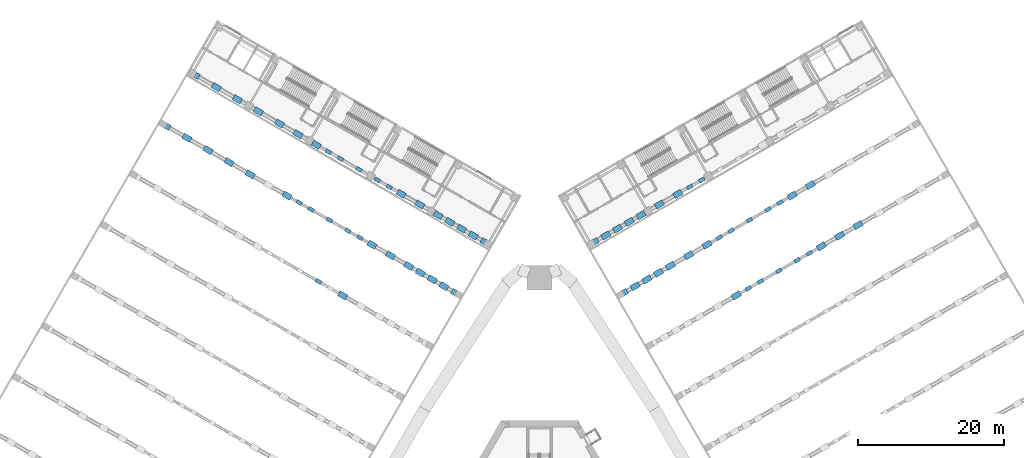
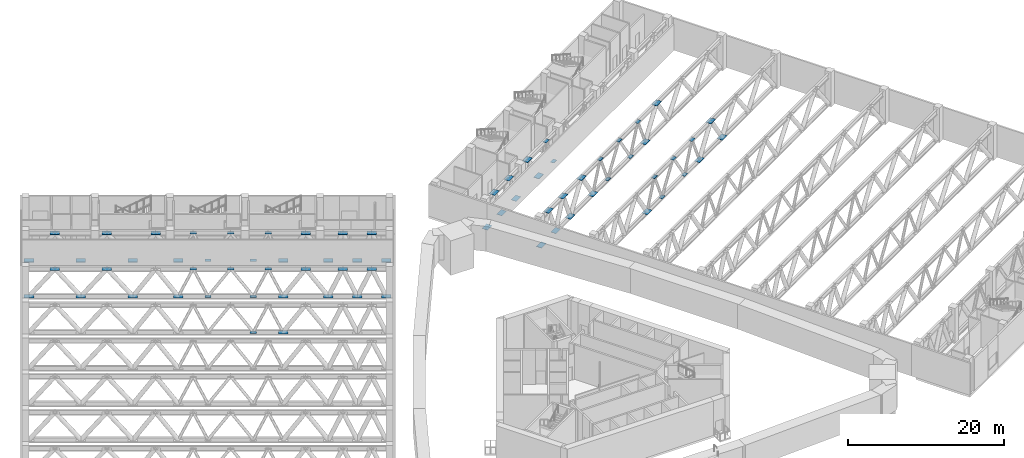
# One storey, part 29 of 37: 71 discrete accessories.
"""IFC4 building model written with IfcOpenShell, lengths in metres."""

from ifc_helpers import new_model, si_unit, direction, frame, origin, place, context, subcontext, project, spatial, polyline, outline, extrude, material, layer, layer_set, type_object, element, save


model = new_model("IFC4")

# Units and contexts
model_context = context("Model", 3, precision=1e-05, world=origin(), true_north=direction((0.0, 1.0)))
body_context = subcontext(model_context, "Body", "Model", "MODEL_VIEW")
ifc_project = project(units=[si_unit("LENGTHUNIT", "METRE"), si_unit("AREAUNIT", "SQUARE_METRE"), si_unit("VOLUMEUNIT", "CUBIC_METRE"), si_unit("PLANEANGLEUNIT", "RADIAN"), si_unit("MASSUNIT", "GRAM", prefix="KILO")], contexts=[model_context])

# Site, building, storey
site_placement = place(None, origin())
site = spatial("IfcSite", under=ifc_project, at=site_placement, CompositionType="ELEMENT")
building_placement = place(site_placement, origin())
building = spatial("IfcBuilding", under=site, at=building_placement, Name="Mestral Congress Tower", CompositionType="ELEMENT")
storey_placement = place(building_placement, frame((0.0, 0.0, 16.199951171875)))
storey = spatial("IfcBuildingStorey", under=building, at=storey_placement, Name="L03", CompositionType="ELEMENT", Elevation=16.199951171875)

# Discrete accessories
ifc_material = material(Name="Steel S355", Category="steel")
ifc_layer_1 = layer(ifc_material, 0.02490234375)
ifc_layer_set_1 = layer_set([ifc_layer_1], Name="Steel S355")
discrete_accessory_type_1 = type_object("IfcDiscreteAccessoryType", Name="Brace end gusset plate 25 S355", PredefinedType="BRACKET", material=ifc_layer_set_1)
placement_1 = place(storey_placement, frame((0.0, 0.0, 4.6875)))
element("IfcDiscreteAccessory", 1, at=placement_1, inside=storey, type_object=discrete_accessory_type_1, Name="Brace end gusset plate 25 S355", PredefinedType="BRACKET", context=body_context, shape_type="SweptSolid", body=[
    extrude(outline(polyline([(-33.3251953125, 46.64794921875), (-32.62109375, 46.24169921875), (-32.357177734375, 46.69921875), (-33.06103515625, 47.105712890625), (-33.3251953125, 46.64794921875)])), origin(), (0.0, 0.0, 1.0), 0.025146484375),
])
placement_2 = place(storey_placement, frame((0.0, 0.0, 0.387451171875)))
element("IfcDiscreteAccessory", 2, at=placement_2, inside=storey, type_object=discrete_accessory_type_1, Name="Brace end gusset plate 25 S355", PredefinedType="BRACKET", context=body_context, shape_type="SweptSolid", body=[
    extrude(outline(polyline([(-31.6796875, 45.697998046875), (-30.9755859375, 45.29150390625), (-30.711669921875, 45.749267578125), (-31.41552734375, 46.155517578125), (-31.6796875, 45.697998046875)])), origin(), (0.0, 0.0, 1.0), 0.025146484375),
])
element("IfcDiscreteAccessory", 3, at=placement_2, inside=storey, type_object=discrete_accessory_type_1, Name="Brace end gusset plate 25 S355", PredefinedType="BRACKET", context=body_context, shape_type="SweptSolid", body=[
    extrude(outline(polyline([(-30.65673828125, 35.869873046875), (-29.952880859375, 35.46337890625), (-29.688720703125, 35.9208984375), (-30.392578125, 36.327392578125), (-30.65673828125, 35.869873046875)])), origin(), (0.0, 0.0, 1.0), 0.025146484375),
])
element("IfcDiscreteAccessory", 4, at=placement_1, inside=storey, type_object=discrete_accessory_type_1, Name="Brace end gusset plate 25 S355", PredefinedType="BRACKET", context=body_context, shape_type="SweptSolid", body=[
    extrude(outline(polyline([(-29.3251953125, 53.576171875), (-28.62109375, 53.169921875), (-28.357177734375, 53.62744140625), (-29.06103515625, 54.03369140625), (-29.3251953125, 53.576171875)])), origin(), (0.0, 0.0, 1.0), 0.025146484375),
])
element("IfcDiscreteAccessory", 5, at=placement_1, inside=storey, type_object=discrete_accessory_type_1, Name="Brace end gusset plate 25 S355", PredefinedType="BRACKET", context=body_context, shape_type="SweptSolid", body=[
    extrude(outline(polyline([(-29.168212890625, 44.248046875), (-28.464111328125, 43.841552734375), (-28.2001953125, 44.29931640625), (-28.904052734375, 44.70556640625), (-29.168212890625, 44.248046875)])), origin(), (0.0, 0.0, 1.0), 0.025146484375),
])
element("IfcDiscreteAccessory", 6, at=placement_2, inside=storey, type_object=discrete_accessory_type_1, Name="Brace end gusset plate 25 S355", PredefinedType="BRACKET", context=body_context, shape_type="SweptSolid", body=[
    extrude(outline(polyline([(-27.6796875, 52.626220703125), (-26.9755859375, 52.2197265625), (-26.711669921875, 52.677490234375), (-27.41552734375, 53.083740234375), (-27.6796875, 52.626220703125)])), origin(), (0.0, 0.0, 1.0), 0.025146484375),
])
element("IfcDiscreteAccessory", 7, at=placement_2, inside=storey, type_object=discrete_accessory_type_1, Name="Brace end gusset plate 25 S355", PredefinedType="BRACKET", context=body_context, shape_type="SweptSolid", body=[
    extrude(outline(polyline([(-26.65673828125, 42.798095703125), (-25.952880859375, 42.3916015625), (-25.688720703125, 42.84912109375), (-26.392578125, 43.255615234375), (-26.65673828125, 42.798095703125)])), origin(), (0.0, 0.0, 1.0), 0.025146484375),
])
element("IfcDiscreteAccessory", 8, at=placement_1, inside=storey, type_object=discrete_accessory_type_1, Name="Brace end gusset plate 25 S355", PredefinedType="BRACKET", context=body_context, shape_type="SweptSolid", body=[
    extrude(outline(polyline([(-25.168212890625, 51.17626953125), (-24.464111328125, 50.769775390625), (-24.2001953125, 51.227294921875), (-24.904052734375, 51.6337890625), (-25.168212890625, 51.17626953125)])), origin(), (0.0, 0.0, 1.0), 0.025146484375),
])
element("IfcDiscreteAccessory", 9, at=placement_1, inside=storey, type_object=discrete_accessory_type_1, Name="Brace end gusset plate 25 S355", PredefinedType="BRACKET", context=body_context, shape_type="SweptSolid", body=[
    extrude(outline(polyline([(-25.01123046875, 41.847900390625), (-24.307373046875, 41.441650390625), (-24.043212890625, 41.899169921875), (-24.7470703125, 42.3056640625), (-25.01123046875, 41.847900390625)])), origin(), (0.0, 0.0, 1.0), 0.025146484375),
])
element("IfcDiscreteAccessory", 10, at=placement_2, inside=storey, type_object=discrete_accessory_type_1, Name="Brace end gusset plate 25 S355", PredefinedType="BRACKET", context=body_context, shape_type="SweptSolid", body=[
    extrude(outline(polyline([(-22.65673828125, 49.726318359375), (-21.952880859375, 49.31982421875), (-21.688720703125, 49.77734375), (-22.392578125, 50.183837890625), (-22.65673828125, 49.726318359375)])), origin(), (0.0, 0.0, 1.0), 0.025146484375),
])
element("IfcDiscreteAccessory", 11, at=placement_1, inside=storey, type_object=discrete_accessory_type_1, Name="Brace end gusset plate 25 S355", PredefinedType="BRACKET", context=body_context, shape_type="SweptSolid", body=[
    extrude(outline(polyline([(-21.01123046875, 48.776123046875), (-20.307373046875, 48.369873046875), (-20.043212890625, 48.827392578125), (-20.7470703125, 49.23388671875), (-21.01123046875, 48.776123046875)])), origin(), (0.0, 0.0, 1.0), 0.025146484375),
])
element("IfcDiscreteAccessory", 12, at=placement_1, inside=storey, type_object=discrete_accessory_type_1, Name="Brace end gusset plate 25 S355", PredefinedType="BRACKET", context=body_context, shape_type="SweptSolid", body=[
    extrude(outline(polyline([(20.7470703125, 49.23388671875), (20.043212890625, 48.827392578125), (20.307373046875, 48.369873046875), (21.01123046875, 48.776123046875), (20.7470703125, 49.23388671875)])), origin(), (0.0, 0.0, 1.0), 0.025146484375),
])
element("IfcDiscreteAccessory", 13, at=placement_2, inside=storey, type_object=discrete_accessory_type_1, Name="Brace end gusset plate 25 S355", PredefinedType="BRACKET", context=body_context, shape_type="SweptSolid", body=[
    extrude(outline(polyline([(22.392578125, 50.183837890625), (21.688720703125, 49.77734375), (21.952880859375, 49.31982421875), (22.65673828125, 49.726318359375), (22.392578125, 50.183837890625)])), origin(), (0.0, 0.0, 1.0), 0.025146484375),
])
element("IfcDiscreteAccessory", 14, at=placement_1, inside=storey, type_object=discrete_accessory_type_1, Name="Brace end gusset plate 25 S355", PredefinedType="BRACKET", context=body_context, shape_type="SweptSolid", body=[
    extrude(outline(polyline([(24.7470703125, 42.3056640625), (24.043212890625, 41.899169921875), (24.307373046875, 41.441650390625), (25.01123046875, 41.847900390625), (24.7470703125, 42.3056640625)])), origin(), (0.0, 0.0, 1.0), 0.025146484375),
])
element("IfcDiscreteAccessory", 15, at=placement_2, inside=storey, type_object=discrete_accessory_type_1, Name="Brace end gusset plate 25 S355", PredefinedType="BRACKET", context=body_context, shape_type="SweptSolid", body=[
    extrude(outline(polyline([(26.392578125, 43.255615234375), (25.688720703125, 42.84912109375), (25.952880859375, 42.3916015625), (26.65673828125, 42.798095703125), (26.392578125, 43.255615234375)])), origin(), (0.0, 0.0, 1.0), 0.025146484375),
])
element("IfcDiscreteAccessory", 16, at=placement_1, inside=storey, type_object=discrete_accessory_type_1, Name="Brace end gusset plate 25 S355", PredefinedType="BRACKET", context=body_context, shape_type="SweptSolid", body=[
    extrude(outline(polyline([(28.7470703125, 35.37744140625), (28.043212890625, 34.970947265625), (28.307373046875, 34.513427734375), (29.01123046875, 34.919921875), (28.7470703125, 35.37744140625)])), origin(), (0.0, 0.0, 1.0), 0.025146484375),
])
element("IfcDiscreteAccessory", 17, at=placement_1, inside=storey, type_object=discrete_accessory_type_1, Name="Brace end gusset plate 25 S355", PredefinedType="BRACKET", context=body_context, shape_type="SweptSolid", body=[
    extrude(outline(polyline([(28.904052734375, 44.70556640625), (28.2001953125, 44.29931640625), (28.464111328125, 43.841552734375), (29.168212890625, 44.248046875), (28.904052734375, 44.70556640625)])), origin(), (0.0, 0.0, 1.0), 0.025146484375),
])
element("IfcDiscreteAccessory", 18, at=placement_2, inside=storey, type_object=discrete_accessory_type_1, Name="Brace end gusset plate 25 S355", PredefinedType="BRACKET", context=body_context, shape_type="SweptSolid", body=[
    extrude(outline(polyline([(30.392578125, 36.327392578125), (29.688720703125, 35.9208984375), (29.952880859375, 35.46337890625), (30.65673828125, 35.869873046875), (30.392578125, 36.327392578125)])), origin(), (0.0, 0.0, 1.0), 0.025146484375),
])
element("IfcDiscreteAccessory", 19, at=placement_2, inside=storey, type_object=discrete_accessory_type_1, Name="Brace end gusset plate 25 S355", PredefinedType="BRACKET", context=body_context, shape_type="SweptSolid", body=[
    extrude(outline(polyline([(31.41552734375, 46.155517578125), (30.711669921875, 45.749267578125), (30.9755859375, 45.29150390625), (31.6796875, 45.697998046875), (31.41552734375, 46.155517578125)])), origin(), (0.0, 0.0, 1.0), 0.025146484375),
])
element("IfcDiscreteAccessory", 20, at=placement_1, inside=storey, type_object=discrete_accessory_type_1, Name="Brace end gusset plate 25 S355", PredefinedType="BRACKET", context=body_context, shape_type="SweptSolid", body=[
    extrude(outline(polyline([(32.904052734375, 37.77734375), (32.2001953125, 37.37109375), (32.464111328125, 36.913330078125), (33.168212890625, 37.31982421875), (32.904052734375, 37.77734375)])), origin(), (0.0, 0.0, 1.0), 0.025146484375),
])
element("IfcDiscreteAccessory", 21, at=placement_1, inside=storey, type_object=discrete_accessory_type_1, Name="Brace end gusset plate 25 S355", PredefinedType="BRACKET", context=body_context, shape_type="SweptSolid", body=[
    extrude(outline(polyline([(33.06103515625, 47.105712890625), (32.357177734375, 46.69921875), (32.62109375, 46.24169921875), (33.3251953125, 46.64794921875), (33.06103515625, 47.105712890625)])), origin(), (0.0, 0.0, 1.0), 0.025146484375),
])
element("IfcDiscreteAccessory", 22, at=placement_2, inside=storey, type_object=discrete_accessory_type_1, Name="Brace end gusset plate 25 S355", PredefinedType="BRACKET", context=body_context, shape_type="SweptSolid", body=[
    extrude(outline(polyline([(35.41552734375, 39.227294921875), (34.711669921875, 38.821044921875), (34.9755859375, 38.36328125), (35.6796875, 38.769775390625), (35.41552734375, 39.227294921875)])), origin(), (0.0, 0.0, 1.0), 0.025146484375),
])
element("IfcDiscreteAccessory", 23, at=placement_1, inside=storey, type_object=discrete_accessory_type_1, Name="Brace end gusset plate 25 S355", PredefinedType="BRACKET", context=body_context, shape_type="SweptSolid", body=[
    extrude(outline(polyline([(37.06103515625, 40.177490234375), (36.357177734375, 39.77099609375), (36.62109375, 39.3134765625), (37.3251953125, 39.7197265625), (37.06103515625, 40.177490234375)])), origin(), (0.0, 0.0, 1.0), 0.025146484375),
])
ifc_layer_2 = layer(ifc_material, 0.034912109375)
ifc_layer_set_2 = layer_set([ifc_layer_2], Name="Steel S355")
discrete_accessory_type_2 = type_object("IfcDiscreteAccessoryType", Name="Brace end gusset plate 35 S355", PredefinedType="BRACKET", material=ifc_layer_set_2)
placement_3 = place(storey_placement, frame((0.0, 0.0, 0.382568359375)))
element("IfcDiscreteAccessory", 24, at=placement_3, inside=storey, type_object=discrete_accessory_type_2, Name="Brace end gusset plate 35 S355", PredefinedType="BRACKET", context=body_context, shape_type="SweptSolid", body=[
    extrude(outline(polyline([(-51.754150390625, 57.13525390625), (-50.697509765625, 56.525146484375), (-50.301025390625, 57.2119140625), (-51.357666015625, 57.822021484375), (-51.754150390625, 57.13525390625)])), origin(), (0.0, 0.0, 1.0), 0.034912109375),
])
placement_4 = place(storey_placement, frame((0.0, 0.0, 4.6826171875)))
element("IfcDiscreteAccessory", 25, at=placement_4, inside=storey, type_object=discrete_accessory_type_2, Name="Brace end gusset plate 35 S355", PredefinedType="BRACKET", context=body_context, shape_type="SweptSolid", body=[
    extrude(outline(polyline([(-48.87451171875, 55.47265625), (-47.818115234375, 54.86279296875), (-47.421630859375, 55.549560546875), (-48.47802734375, 56.159423828125), (-48.87451171875, 55.47265625)])), origin(), (0.0, 0.0, 1.0), 0.034912109375),
])
element("IfcDiscreteAccessory", 26, at=placement_3, inside=storey, type_object=discrete_accessory_type_2, Name="Brace end gusset plate 35 S355", PredefinedType="BRACKET", context=body_context, shape_type="SweptSolid", body=[
    extrude(outline(polyline([(-47.754150390625, 64.0634765625), (-46.697509765625, 63.453369140625), (-46.301025390625, 64.14013671875), (-47.357666015625, 64.750244140625), (-47.754150390625, 64.0634765625)])), origin(), (0.0, 0.0, 1.0), 0.034912109375),
])
element("IfcDiscreteAccessory", 27, at=placement_3, inside=storey, type_object=discrete_accessory_type_2, Name="Brace end gusset plate 35 S355", PredefinedType="BRACKET", context=body_context, shape_type="SweptSolid", body=[
    extrude(outline(polyline([(-45.9951171875, 53.810302734375), (-44.9384765625, 53.2001953125), (-44.5419921875, 53.886962890625), (-45.598388671875, 54.4970703125), (-45.9951171875, 53.810302734375)])), origin(), (0.0, 0.0, 1.0), 0.034912109375),
])
element("IfcDiscreteAccessory", 28, at=placement_4, inside=storey, type_object=discrete_accessory_type_2, Name="Brace end gusset plate 35 S355", PredefinedType="BRACKET", context=body_context, shape_type="SweptSolid", body=[
    extrude(outline(polyline([(-44.87451171875, 62.40087890625), (-43.818115234375, 61.791015625), (-43.421630859375, 62.477783203125), (-44.47802734375, 63.087646484375), (-44.87451171875, 62.40087890625)])), origin(), (0.0, 0.0, 1.0), 0.034912109375),
])
element("IfcDiscreteAccessory", 29, at=placement_4, inside=storey, type_object=discrete_accessory_type_2, Name="Brace end gusset plate 35 S355", PredefinedType="BRACKET", context=body_context, shape_type="SweptSolid", body=[
    extrude(outline(polyline([(-43.115478515625, 52.147705078125), (-42.05908203125, 51.53759765625), (-41.66259765625, 52.224609375), (-42.718994140625, 52.83447265625), (-43.115478515625, 52.147705078125)])), origin(), (0.0, 0.0, 1.0), 0.034912109375),
])
element("IfcDiscreteAccessory", 30, at=placement_3, inside=storey, type_object=discrete_accessory_type_2, Name="Brace end gusset plate 35 S355", PredefinedType="BRACKET", context=body_context, shape_type="SweptSolid", body=[
    extrude(outline(polyline([(-41.9951171875, 60.73828125), (-40.9384765625, 60.12841796875), (-40.5419921875, 60.815185546875), (-41.598388671875, 61.42529296875), (-41.9951171875, 60.73828125)])), origin(), (0.0, 0.0, 1.0), 0.034912109375),
])
element("IfcDiscreteAccessory", 31, at=placement_3, inside=storey, type_object=discrete_accessory_type_2, Name="Brace end gusset plate 35 S355", PredefinedType="BRACKET", context=body_context, shape_type="SweptSolid", body=[
    extrude(outline(polyline([(-40.236083984375, 50.485107421875), (-39.179443359375, 49.875244140625), (-38.782958984375, 50.56201171875), (-39.839599609375, 51.172119140625), (-40.236083984375, 50.485107421875)])), origin(), (0.0, 0.0, 1.0), 0.034912109375),
])
element("IfcDiscreteAccessory", 32, at=placement_4, inside=storey, type_object=discrete_accessory_type_2, Name="Brace end gusset plate 35 S355", PredefinedType="BRACKET", context=body_context, shape_type="SweptSolid", body=[
    extrude(outline(polyline([(-39.115478515625, 59.075927734375), (-38.05908203125, 58.4658203125), (-37.66259765625, 59.152587890625), (-38.718994140625, 59.7626953125), (-39.115478515625, 59.075927734375)])), origin(), (0.0, 0.0, 1.0), 0.034912109375),
])
element("IfcDiscreteAccessory", 33, at=placement_3, inside=storey, type_object=discrete_accessory_type_2, Name="Brace end gusset plate 35 S355", PredefinedType="BRACKET", context=body_context, shape_type="SweptSolid", body=[
    extrude(outline(polyline([(-36.236083984375, 57.413330078125), (-35.179443359375, 56.803466796875), (-34.782958984375, 57.490234375), (-35.839599609375, 58.10009765625), (-36.236083984375, 57.413330078125)])), origin(), (0.0, 0.0, 1.0), 0.034912109375),
])
element("IfcDiscreteAccessory", 34, at=placement_3, inside=storey, type_object=discrete_accessory_type_2, Name="Brace end gusset plate 35 S355", PredefinedType="BRACKET", context=body_context, shape_type="SweptSolid", body=[
    extrude(outline(polyline([(-33.760009765625, 47.662109375), (-34.81640625, 48.27197265625), (-35.212890625, 47.585205078125), (-34.156494140625, 46.97509765625), (-33.760009765625, 47.662109375)])), origin(), (0.0, 0.0, 1.0), 0.034912109375),
])
element("IfcDiscreteAccessory", 35, at=placement_4, inside=storey, type_object=discrete_accessory_type_2, Name="Brace end gusset plate 35 S355", PredefinedType="BRACKET", context=body_context, shape_type="SweptSolid", body=[
    extrude(outline(polyline([(-33.724609375, 55.96337890625), (-32.66796875, 55.353515625), (-32.271484375, 56.040283203125), (-33.327880859375, 56.650146484375), (-33.724609375, 55.96337890625)])), origin(), (0.0, 0.0, 1.0), 0.034912109375),
])
element("IfcDiscreteAccessory", 36, at=placement_3, inside=storey, type_object=discrete_accessory_type_2, Name="Brace end gusset plate 35 S355", PredefinedType="BRACKET", context=body_context, shape_type="SweptSolid", body=[
    extrude(outline(polyline([(-29.760009765625, 54.590087890625), (-30.81640625, 55.2001953125), (-31.212890625, 54.513427734375), (-30.156494140625, 53.9033203125), (-29.760009765625, 54.590087890625)])), origin(), (0.0, 0.0, 1.0), 0.034912109375),
])
element("IfcDiscreteAccessory", 37, at=placement_3, inside=storey, type_object=discrete_accessory_type_2, Name="Brace end gusset plate 35 S355", PredefinedType="BRACKET", context=body_context, shape_type="SweptSolid", body=[
    extrude(outline(polyline([(-27.6083984375, 33.95703125), (-26.5517578125, 33.346923828125), (-26.1552734375, 34.03369140625), (-27.2119140625, 34.643798828125), (-27.6083984375, 33.95703125)])), origin(), (0.0, 0.0, 1.0), 0.034912109375),
])
element("IfcDiscreteAccessory", 38, at=placement_3, inside=storey, type_object=discrete_accessory_type_2, Name="Brace end gusset plate 35 S355", PredefinedType="BRACKET", context=body_context, shape_type="SweptSolid", body=[
    extrude(outline(polyline([(-23.6083984375, 40.88525390625), (-22.5517578125, 40.275146484375), (-22.1552734375, 40.9619140625), (-23.2119140625, 41.572021484375), (-23.6083984375, 40.88525390625)])), origin(), (0.0, 0.0, 1.0), 0.034912109375),
])
element("IfcDiscreteAccessory", 39, at=placement_4, inside=storey, type_object=discrete_accessory_type_2, Name="Brace end gusset plate 35 S355", PredefinedType="BRACKET", context=body_context, shape_type="SweptSolid", body=[
    extrude(outline(polyline([(-21.0966796875, 39.435302734375), (-20.040283203125, 38.8251953125), (-19.643798828125, 39.511962890625), (-20.7001953125, 40.1220703125), (-21.0966796875, 39.435302734375)])), origin(), (0.0, 0.0, 1.0), 0.034912109375),
])
element("IfcDiscreteAccessory", 40, at=placement_3, inside=storey, type_object=discrete_accessory_type_2, Name="Brace end gusset plate 35 S355", PredefinedType="BRACKET", context=body_context, shape_type="SweptSolid", body=[
    extrude(outline(polyline([(-19.6083984375, 47.8134765625), (-18.5517578125, 47.203369140625), (-18.1552734375, 47.89013671875), (-19.2119140625, 48.500244140625), (-19.6083984375, 47.8134765625)])), origin(), (0.0, 0.0, 1.0), 0.034912109375),
])
element("IfcDiscreteAccessory", 41, at=placement_3, inside=storey, type_object=discrete_accessory_type_2, Name="Brace end gusset plate 35 S355", PredefinedType="BRACKET", context=body_context, shape_type="SweptSolid", body=[
    extrude(outline(polyline([(-18.585205078125, 37.985107421875), (-17.52880859375, 37.375244140625), (-17.13232421875, 38.06201171875), (-18.188720703125, 38.672119140625), (-18.585205078125, 37.985107421875)])), origin(), (0.0, 0.0, 1.0), 0.034912109375),
])
element("IfcDiscreteAccessory", 42, at=placement_4, inside=storey, type_object=discrete_accessory_type_2, Name="Brace end gusset plate 35 S355", PredefinedType="BRACKET", context=body_context, shape_type="SweptSolid", body=[
    extrude(outline(polyline([(-17.0966796875, 46.36328125), (-16.040283203125, 45.75341796875), (-15.643798828125, 46.440185546875), (-16.7001953125, 47.05029296875), (-17.0966796875, 46.36328125)])), origin(), (0.0, 0.0, 1.0), 0.034912109375),
])
element("IfcDiscreteAccessory", 43, at=placement_4, inside=storey, type_object=discrete_accessory_type_2, Name="Brace end gusset plate 35 S355", PredefinedType="BRACKET", context=body_context, shape_type="SweptSolid", body=[
    extrude(outline(polyline([(-16.983154296875, 37.060302734375), (-15.9267578125, 36.4501953125), (-15.5302734375, 37.136962890625), (-16.586669921875, 37.7470703125), (-16.983154296875, 37.060302734375)])), origin(), (0.0, 0.0, 1.0), 0.034912109375),
])
element("IfcDiscreteAccessory", 44, at=placement_3, inside=storey, type_object=discrete_accessory_type_2, Name="Brace end gusset plate 35 S355", PredefinedType="BRACKET", context=body_context, shape_type="SweptSolid", body=[
    extrude(outline(polyline([(-15.381103515625, 36.13525390625), (-14.324462890625, 35.525146484375), (-13.927978515625, 36.2119140625), (-14.984619140625, 36.822021484375), (-15.381103515625, 36.13525390625)])), origin(), (0.0, 0.0, 1.0), 0.034912109375),
])
element("IfcDiscreteAccessory", 45, at=placement_3, inside=storey, type_object=discrete_accessory_type_2, Name="Brace end gusset plate 35 S355", PredefinedType="BRACKET", context=body_context, shape_type="SweptSolid", body=[
    extrude(outline(polyline([(-14.585205078125, 44.913330078125), (-13.52880859375, 44.303466796875), (-13.13232421875, 44.990234375), (-14.188720703125, 45.60009765625), (-14.585205078125, 44.913330078125)])), origin(), (0.0, 0.0, 1.0), 0.034912109375),
])
element("IfcDiscreteAccessory", 46, at=placement_4, inside=storey, type_object=discrete_accessory_type_2, Name="Brace end gusset plate 35 S355", PredefinedType="BRACKET", context=body_context, shape_type="SweptSolid", body=[
    extrude(outline(polyline([(-13.77880859375, 35.210205078125), (-12.722412109375, 34.60009765625), (-12.325927734375, 35.287109375), (-13.38232421875, 35.89697265625), (-13.77880859375, 35.210205078125)])), origin(), (0.0, 0.0, 1.0), 0.034912109375),
])
element("IfcDiscreteAccessory", 47, at=placement_4, inside=storey, type_object=discrete_accessory_type_2, Name="Brace end gusset plate 35 S355", PredefinedType="BRACKET", context=body_context, shape_type="SweptSolid", body=[
    extrude(outline(polyline([(-12.983154296875, 43.98828125), (-11.9267578125, 43.37841796875), (-11.5302734375, 44.065185546875), (-12.586669921875, 44.67529296875), (-12.983154296875, 43.98828125)])), origin(), (0.0, 0.0, 1.0), 0.034912109375),
])
element("IfcDiscreteAccessory", 48, at=placement_3, inside=storey, type_object=discrete_accessory_type_2, Name="Brace end gusset plate 35 S355", PredefinedType="BRACKET", context=body_context, shape_type="SweptSolid", body=[
    extrude(outline(polyline([(-10.7236328125, 34.362060546875), (-11.7802734375, 34.971923828125), (-12.1767578125, 34.28515625), (-11.1201171875, 33.67529296875), (-10.7236328125, 34.362060546875)])), origin(), (0.0, 0.0, 1.0), 0.034912109375),
])
element("IfcDiscreteAccessory", 49, at=placement_3, inside=storey, type_object=discrete_accessory_type_2, Name="Brace end gusset plate 35 S355", PredefinedType="BRACKET", context=body_context, shape_type="SweptSolid", body=[
    extrude(outline(polyline([(-11.381103515625, 43.0634765625), (-10.324462890625, 42.453369140625), (-9.927978515625, 43.14013671875), (-10.984619140625, 43.750244140625), (-11.381103515625, 43.0634765625)])), origin(), (0.0, 0.0, 1.0), 0.034912109375),
])
element("IfcDiscreteAccessory", 50, at=placement_4, inside=storey, type_object=discrete_accessory_type_2, Name="Brace end gusset plate 35 S355", PredefinedType="BRACKET", context=body_context, shape_type="SweptSolid", body=[
    extrude(outline(polyline([(-9.77880859375, 42.138427734375), (-8.722412109375, 41.5283203125), (-8.325927734375, 42.215087890625), (-9.38232421875, 42.8251953125), (-9.77880859375, 42.138427734375)])), origin(), (0.0, 0.0, 1.0), 0.034912109375),
])
element("IfcDiscreteAccessory", 51, at=placement_3, inside=storey, type_object=discrete_accessory_type_2, Name="Brace end gusset plate 35 S355", PredefinedType="BRACKET", context=body_context, shape_type="SweptSolid", body=[
    extrude(outline(polyline([(-6.7236328125, 41.290283203125), (-7.7802734375, 41.900146484375), (-8.1767578125, 41.21337890625), (-7.1201171875, 40.603515625), (-6.7236328125, 41.290283203125)])), origin(), (0.0, 0.0, 1.0), 0.034912109375),
])
element("IfcDiscreteAccessory", 52, at=placement_3, inside=storey, type_object=discrete_accessory_type_2, Name="Brace end gusset plate 35 S355", PredefinedType="BRACKET", context=body_context, shape_type="SweptSolid", body=[
    extrude(outline(polyline([(7.1201171875, 40.603515625), (8.1767578125, 41.21337890625), (7.7802734375, 41.900146484375), (6.7236328125, 41.290283203125), (7.1201171875, 40.603515625)])), origin(), (0.0, 0.0, 1.0), 0.034912109375),
])
element("IfcDiscreteAccessory", 53, at=placement_4, inside=storey, type_object=discrete_accessory_type_2, Name="Brace end gusset plate 35 S355", PredefinedType="BRACKET", context=body_context, shape_type="SweptSolid", body=[
    extrude(outline(polyline([(9.38232421875, 42.8251953125), (8.325927734375, 42.215087890625), (8.722412109375, 41.5283203125), (9.77880859375, 42.138427734375), (9.38232421875, 42.8251953125)])), origin(), (0.0, 0.0, 1.0), 0.034912109375),
])
element("IfcDiscreteAccessory", 54, at=placement_3, inside=storey, type_object=discrete_accessory_type_2, Name="Brace end gusset plate 35 S355", PredefinedType="BRACKET", context=body_context, shape_type="SweptSolid", body=[
    extrude(outline(polyline([(10.984619140625, 43.750244140625), (9.927978515625, 43.14013671875), (10.324462890625, 42.453369140625), (11.381103515625, 43.0634765625), (10.984619140625, 43.750244140625)])), origin(), (0.0, 0.0, 1.0), 0.034912109375),
])
element("IfcDiscreteAccessory", 55, at=placement_3, inside=storey, type_object=discrete_accessory_type_2, Name="Brace end gusset plate 35 S355", PredefinedType="BRACKET", context=body_context, shape_type="SweptSolid", body=[
    extrude(outline(polyline([(11.1201171875, 33.67529296875), (12.1767578125, 34.28515625), (11.7802734375, 34.971923828125), (10.7236328125, 34.362060546875), (11.1201171875, 33.67529296875)])), origin(), (0.0, 0.0, 1.0), 0.034912109375),
])
element("IfcDiscreteAccessory", 56, at=placement_4, inside=storey, type_object=discrete_accessory_type_2, Name="Brace end gusset plate 35 S355", PredefinedType="BRACKET", context=body_context, shape_type="SweptSolid", body=[
    extrude(outline(polyline([(12.586669921875, 44.67529296875), (11.5302734375, 44.065185546875), (11.9267578125, 43.37841796875), (12.983154296875, 43.98828125), (12.586669921875, 44.67529296875)])), origin(), (0.0, 0.0, 1.0), 0.034912109375),
])
element("IfcDiscreteAccessory", 57, at=placement_4, inside=storey, type_object=discrete_accessory_type_2, Name="Brace end gusset plate 35 S355", PredefinedType="BRACKET", context=body_context, shape_type="SweptSolid", body=[
    extrude(outline(polyline([(13.38232421875, 35.89697265625), (12.325927734375, 35.287109375), (12.722412109375, 34.60009765625), (13.77880859375, 35.210205078125), (13.38232421875, 35.89697265625)])), origin(), (0.0, 0.0, 1.0), 0.034912109375),
])
element("IfcDiscreteAccessory", 58, at=placement_3, inside=storey, type_object=discrete_accessory_type_2, Name="Brace end gusset plate 35 S355", PredefinedType="BRACKET", context=body_context, shape_type="SweptSolid", body=[
    extrude(outline(polyline([(14.188720703125, 45.60009765625), (13.13232421875, 44.990234375), (13.52880859375, 44.303466796875), (14.585205078125, 44.913330078125), (14.188720703125, 45.60009765625)])), origin(), (0.0, 0.0, 1.0), 0.034912109375),
])
element("IfcDiscreteAccessory", 59, at=placement_3, inside=storey, type_object=discrete_accessory_type_2, Name="Brace end gusset plate 35 S355", PredefinedType="BRACKET", context=body_context, shape_type="SweptSolid", body=[
    extrude(outline(polyline([(14.984619140625, 36.822021484375), (13.927978515625, 36.2119140625), (14.324462890625, 35.525146484375), (15.381103515625, 36.13525390625), (14.984619140625, 36.822021484375)])), origin(), (0.0, 0.0, 1.0), 0.034912109375),
])
element("IfcDiscreteAccessory", 60, at=placement_4, inside=storey, type_object=discrete_accessory_type_2, Name="Brace end gusset plate 35 S355", PredefinedType="BRACKET", context=body_context, shape_type="SweptSolid", body=[
    extrude(outline(polyline([(16.586669921875, 37.7470703125), (15.5302734375, 37.136962890625), (15.9267578125, 36.4501953125), (16.983154296875, 37.060302734375), (16.586669921875, 37.7470703125)])), origin(), (0.0, 0.0, 1.0), 0.034912109375),
])
element("IfcDiscreteAccessory", 61, at=placement_4, inside=storey, type_object=discrete_accessory_type_2, Name="Brace end gusset plate 35 S355", PredefinedType="BRACKET", context=body_context, shape_type="SweptSolid", body=[
    extrude(outline(polyline([(16.7001953125, 47.05029296875), (15.643798828125, 46.440185546875), (16.040283203125, 45.75341796875), (17.0966796875, 46.36328125), (16.7001953125, 47.05029296875)])), origin(), (0.0, 0.0, 1.0), 0.034912109375),
])
element("IfcDiscreteAccessory", 62, at=placement_3, inside=storey, type_object=discrete_accessory_type_2, Name="Brace end gusset plate 35 S355", PredefinedType="BRACKET", context=body_context, shape_type="SweptSolid", body=[
    extrude(outline(polyline([(18.188720703125, 38.672119140625), (17.13232421875, 38.06201171875), (17.52880859375, 37.375244140625), (18.585205078125, 37.985107421875), (18.188720703125, 38.672119140625)])), origin(), (0.0, 0.0, 1.0), 0.034912109375),
])
element("IfcDiscreteAccessory", 63, at=placement_3, inside=storey, type_object=discrete_accessory_type_2, Name="Brace end gusset plate 35 S355", PredefinedType="BRACKET", context=body_context, shape_type="SweptSolid", body=[
    extrude(outline(polyline([(19.2119140625, 48.500244140625), (18.1552734375, 47.89013671875), (18.5517578125, 47.203369140625), (19.6083984375, 47.8134765625), (19.2119140625, 48.500244140625)])), origin(), (0.0, 0.0, 1.0), 0.034912109375),
])
element("IfcDiscreteAccessory", 64, at=placement_4, inside=storey, type_object=discrete_accessory_type_2, Name="Brace end gusset plate 35 S355", PredefinedType="BRACKET", context=body_context, shape_type="SweptSolid", body=[
    extrude(outline(polyline([(20.7001953125, 40.1220703125), (19.643798828125, 39.511962890625), (20.040283203125, 38.8251953125), (21.0966796875, 39.435302734375), (20.7001953125, 40.1220703125)])), origin(), (0.0, 0.0, 1.0), 0.034912109375),
])
element("IfcDiscreteAccessory", 65, at=placement_3, inside=storey, type_object=discrete_accessory_type_2, Name="Brace end gusset plate 35 S355", PredefinedType="BRACKET", context=body_context, shape_type="SweptSolid", body=[
    extrude(outline(polyline([(23.2119140625, 41.572021484375), (22.1552734375, 40.9619140625), (22.5517578125, 40.275146484375), (23.6083984375, 40.88525390625), (23.2119140625, 41.572021484375)])), origin(), (0.0, 0.0, 1.0), 0.034912109375),
])
element("IfcDiscreteAccessory", 66, at=placement_3, inside=storey, type_object=discrete_accessory_type_2, Name="Brace end gusset plate 35 S355", PredefinedType="BRACKET", context=body_context, shape_type="SweptSolid", body=[
    extrude(outline(polyline([(27.2119140625, 34.643798828125), (26.1552734375, 34.03369140625), (26.5517578125, 33.346923828125), (27.6083984375, 33.95703125), (27.2119140625, 34.643798828125)])), origin(), (0.0, 0.0, 1.0), 0.034912109375),
])
element("IfcDiscreteAccessory", 67, at=placement_3, inside=storey, type_object=discrete_accessory_type_2, Name="Brace end gusset plate 35 S355", PredefinedType="BRACKET", context=body_context, shape_type="SweptSolid", body=[
    extrude(outline(polyline([(34.156494140625, 46.97509765625), (35.212890625, 47.585205078125), (34.81640625, 48.27197265625), (33.760009765625, 47.662109375), (34.156494140625, 46.97509765625)])), origin(), (0.0, 0.0, 1.0), 0.034912109375),
])
element("IfcDiscreteAccessory", 68, at=placement_4, inside=storey, type_object=discrete_accessory_type_2, Name="Brace end gusset plate 35 S355", PredefinedType="BRACKET", context=body_context, shape_type="SweptSolid", body=[
    extrude(outline(polyline([(37.327880859375, 49.721923828125), (36.271484375, 49.112060546875), (36.66796875, 48.42529296875), (37.724609375, 49.03515625), (37.327880859375, 49.721923828125)])), origin(), (0.0, 0.0, 1.0), 0.034912109375),
])
element("IfcDiscreteAccessory", 69, at=placement_3, inside=storey, type_object=discrete_accessory_type_2, Name="Brace end gusset plate 35 S355", PredefinedType="BRACKET", context=body_context, shape_type="SweptSolid", body=[
    extrude(outline(polyline([(38.156494140625, 40.047119140625), (39.212890625, 40.656982421875), (38.81640625, 41.34375), (37.760009765625, 40.73388671875), (38.156494140625, 40.047119140625)])), origin(), (0.0, 0.0, 1.0), 0.034912109375),
])
element("IfcDiscreteAccessory", 70, at=placement_4, inside=storey, type_object=discrete_accessory_type_2, Name="Brace end gusset plate 35 S355", PredefinedType="BRACKET", context=body_context, shape_type="SweptSolid", body=[
    extrude(outline(polyline([(41.327880859375, 42.793701171875), (40.271484375, 42.183837890625), (40.66796875, 41.4970703125), (41.724609375, 42.10693359375), (41.327880859375, 42.793701171875)])), origin(), (0.0, 0.0, 1.0), 0.034912109375),
])
element("IfcDiscreteAccessory", 71, at=placement_3, inside=storey, type_object=discrete_accessory_type_2, Name="Brace end gusset plate 35 S355", PredefinedType="BRACKET", context=body_context, shape_type="SweptSolid", body=[
    extrude(outline(polyline([(43.839599609375, 44.243896484375), (42.782958984375, 43.6337890625), (43.179443359375, 42.947021484375), (44.236083984375, 43.556884765625), (43.839599609375, 44.243896484375)])), origin(), (0.0, 0.0, 1.0), 0.034912109375),
])

save(model, "model.ifc")
